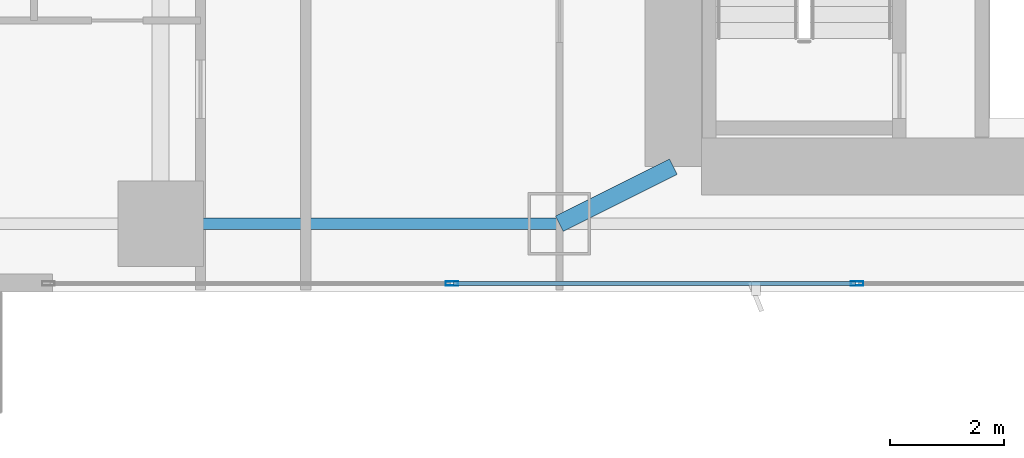
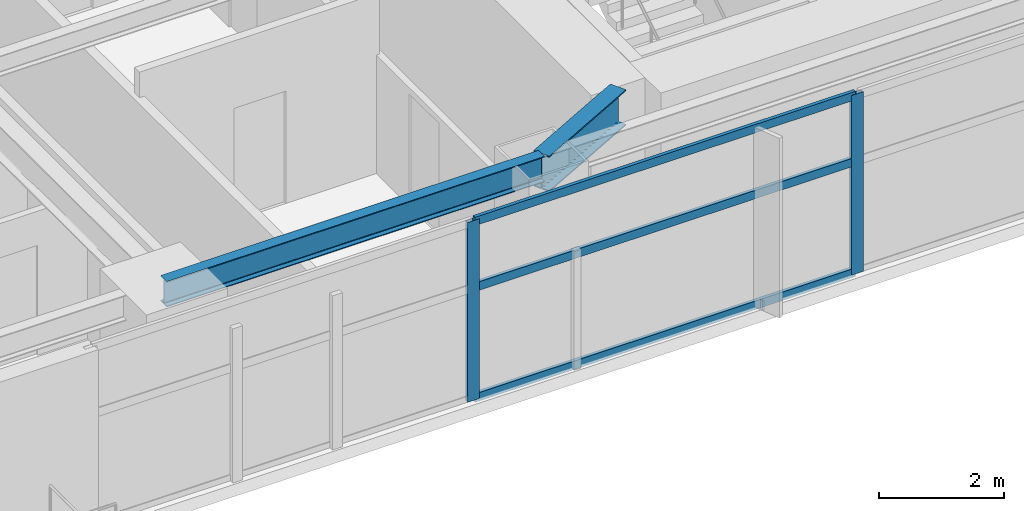
# One storey, part 5 of 28: 5 members, 2 beams, 1 element without a shape of its own.
"""IFC4 building model written with IfcOpenShell, lengths in metres."""

from ifc_helpers import new_model, si_unit, direction, frame, origin, origin_2d, place, context, subcontext, project, spatial, hollow_rectangle, i_section, extrude, material, layer, layer_set, material_profile, profile_set, type_object, element, aggregate, save


model = new_model("IFC4")

# Units and contexts
model_context = context("Model", 3, precision=1e-05, world=origin(), true_north=direction((0.0, 1.0)))
body_context = subcontext(model_context, "Body", "Model", "MODEL_VIEW")
ifc_project = project(units=[si_unit("LENGTHUNIT", "METRE"), si_unit("AREAUNIT", "SQUARE_METRE"), si_unit("VOLUMEUNIT", "CUBIC_METRE"), si_unit("PLANEANGLEUNIT", "RADIAN"), si_unit("MASSUNIT", "GRAM", prefix="KILO")], contexts=[model_context])

# Site, building, storey
site_placement = place(None, origin())
site = spatial("IfcSite", under=ifc_project, at=site_placement, CompositionType="ELEMENT")
building_placement = place(site_placement, origin())
building = spatial("IfcBuilding", under=site, at=building_placement, Name="Calvorn Quay Hotel", CompositionType="ELEMENT")
storey_placement = place(building_placement, frame((0.0, 0.0, 88.800048828125)))
storey = spatial("IfcBuildingStorey", under=building, at=storey_placement, Name="L21", CompositionType="ELEMENT", Elevation=88.800048828125)

# Beams
ifc_material_1 = material(Name="Steel Q390GJC", Category="steel")
ifc_material_profile_1 = material_profile(ifc_material_1, i_section(OverallWidth=0.300048828125, OverallDepth=0.699951171875, WebThickness=0.012939453125, FlangeThickness=0.02392578125, FilletRadius=0.02392578125, at=origin_2d()), Name="HN700x300x13x24")
ifc_profile_set_1 = profile_set([ifc_material_profile_1], Name="Steel Q390GJC")
beam_type_1 = type_object("IfcBeamType", Name="BM-GIRD-MAIN", PredefinedType="BEAM", material=ifc_profile_set_1)
beam_1_placement = place(storey_placement, frame((19.60009765625, 3.60009765625, 3.169921875), z_axis=(0.894427191, 0.4472135955, 0.0), x_axis=(-0.4472135955, 0.894427191, 0.0)))
element("IfcBeam", 1, at=beam_1_placement, inside=storey, type_object=beam_type_1, Name="Beam BG-L21-S2", PredefinedType="BEAM", context=body_context, shape_type="SweptSolid", body=[
    extrude(i_section(OverallWidth=0.300048828125, OverallDepth=0.699951171875, WebThickness=0.012939453125, FlangeThickness=0.02392578125, FilletRadius=0.02392578125, at=origin_2d()), origin(), (0.0, 0.0, 1.0), 2.236083984375),
])
ifc_material_2 = material(Name="Steel Q355B", Category="steel")
ifc_material_profile_2 = material_profile(ifc_material_2, i_section(OverallWidth=0.199951171875, OverallDepth=0.5, WebThickness=0.010009765625, FlangeThickness=0.01611328125, FilletRadius=0.01611328125, at=origin_2d()), Name="HN500x200x10x16")
ifc_profile_set_2 = profile_set([ifc_material_profile_2], Name="Steel Q355B")
beam_type_2 = type_object("IfcBeamType", Name="BM-SPANDREL-Z1", PredefinedType="SPANDREL", material=ifc_profile_set_2)
beam_2_placement = place(storey_placement, frame((12.60009765625, 3.60009765625, 3.27001953125), z_axis=(1.0, 0.0, 0.0), x_axis=(0.0, 1.0, 0.0)))
element("IfcBeam", 2, at=beam_2_placement, inside=storey, type_object=beam_type_2, Name="Beam BSP-L21-S2", PredefinedType="SPANDREL", context=body_context, shape_type="SweptSolid", body=[
    extrude(i_section(OverallWidth=0.199951171875, OverallDepth=0.5, WebThickness=0.010009765625, FlangeThickness=0.01611328125, FilletRadius=0.01611328125, at=origin_2d()), origin(), (0.0, 0.0, 1.0), 7.0),
])

# Curtain wall, members
ifc_material_3 = material(Name="Pale Anodised Aluminium and Low-E Glass", Category="aluminium")
ifc_layer = layer(ifc_material_3, 0.219970703125)
ifc_layer_set = layer_set([ifc_layer], Name="CW-SYS-Z1")
curtain_wall_type = type_object("IfcCurtainWallType", Name="CW-SYS-Z1", PredefinedType="NOTDEFINED", material=ifc_layer_set)
curtain_wall_placement = place(storey_placement, origin())
curtain_wall = element("IfcCurtainWall", 3, at=curtain_wall_placement, inside=storey, type_object=curtain_wall_type, Name="Tower South Waterfront Curtain Wall (L21)", PredefinedType="NOTDEFINED")
ifc_material_4 = material(Name="Pale Anodised Aluminium 6063-T6", Category="aluminium")
ifc_material_profile_3 = material_profile(ifc_material_4, hollow_rectangle(XDim=0.074951171875, YDim=0.219970703125, WallThickness=0.00439453125, at=origin_2d()), Name="ALU-M220x75x4.5")
ifc_profile_set_3 = profile_set([ifc_material_profile_3], Name="Pale Anodised Aluminium 6063-T6")
member_type_1 = type_object("IfcMemberType", Name="CW-SYS-Z1-MUL", PredefinedType="MULLION", material=ifc_profile_set_3)
member_1_placement = place(storey_placement, frame((17.71435546875, 2.550048828125, 0.0), z_axis=(0.0, 0.0, 1.0), x_axis=(0.0, 1.0, 0.0)))
member_1 = element("IfcMember", 4, at=member_1_placement, type_object=member_type_1, Name="CW-L21-S mullion 2", PredefinedType="MULLION", context=body_context, shape_type="SweptSolid", body=[
    extrude(hollow_rectangle(XDim=0.074951171875, YDim=0.219970703125, WallThickness=0.00439453125, at=origin_2d()), origin(), (0.0, 0.0, 1.0), 3.52001953125),
])
member_2_placement = place(storey_placement, frame((24.82861328125, 2.550048828125, 0.0), z_axis=(0.0, 0.0, 1.0), x_axis=(0.0, 1.0, 0.0)))
member_2 = element("IfcMember", 5, at=member_2_placement, type_object=member_type_1, Name="CW-L21-S mullion 3", PredefinedType="MULLION", context=body_context, shape_type="SweptSolid", body=[
    extrude(hollow_rectangle(XDim=0.074951171875, YDim=0.219970703125, WallThickness=0.00439453125, at=origin_2d()), origin(), (0.0, 0.0, 1.0), 3.52001953125),
])
ifc_material_5 = material(Name="Pale Anodised Aluminium 6063-T6", Category="aluminium")
ifc_material_profile_4 = material_profile(ifc_material_5, hollow_rectangle(XDim=0.06494140625, YDim=0.1650390625, WallThickness=0.00341796875, at=origin_2d()), Name="ALU-T165x65x3.5")
ifc_profile_set_4 = profile_set([ifc_material_profile_4], Name="Pale Anodised Aluminium 6063-T6")
member_type_2 = type_object("IfcMemberType", Name="CW-SYS-Z1-TRN", PredefinedType="USERDEFINED", material=ifc_profile_set_4)
member_3_placement = place(storey_placement, frame((17.744384765625, 2.550048828125, 0.030029296875), z_axis=(1.0, 0.0, 0.0), x_axis=(0.0, 1.0, 0.0)))
member_3 = element("IfcMember", 6, at=member_3_placement, type_object=member_type_2, Name="CW-L21-S transom 2.1", ObjectType="TRANSOM", PredefinedType="USERDEFINED", context=body_context, shape_type="SweptSolid", body=[
    extrude(hollow_rectangle(XDim=0.06494140625, YDim=0.1650390625, WallThickness=0.00341796875, at=origin_2d()), origin(), (0.0, 0.0, 1.0), 7.05419921875),
])
member_4_placement = place(storey_placement, frame((17.744384765625, 2.550048828125, 2.199951171875), z_axis=(1.0, 0.0, 0.0), x_axis=(0.0, 1.0, 0.0)))
member_4 = element("IfcMember", 7, at=member_4_placement, type_object=member_type_2, Name="CW-L21-S transom 2.2", ObjectType="TRANSOM", PredefinedType="USERDEFINED", context=body_context, shape_type="SweptSolid", body=[
    extrude(hollow_rectangle(XDim=0.06494140625, YDim=0.1650390625, WallThickness=0.00341796875, at=origin_2d()), origin(), (0.0, 0.0, 1.0), 7.05419921875),
])
member_5_placement = place(storey_placement, frame((17.744384765625, 2.550048828125, 3.489990234375), z_axis=(1.0, 0.0, 0.0), x_axis=(0.0, 1.0, 0.0)))
member_5 = element("IfcMember", 8, at=member_5_placement, type_object=member_type_2, Name="CW-L21-S transom 2.3", ObjectType="TRANSOM", PredefinedType="USERDEFINED", context=body_context, shape_type="SweptSolid", body=[
    extrude(hollow_rectangle(XDim=0.06494140625, YDim=0.1650390625, WallThickness=0.00341796875, at=origin_2d()), origin(), (0.0, 0.0, 1.0), 7.05419921875),
])
aggregate(curtain_wall, [member_1, member_2, member_3, member_4, member_5])

save(model, "model.ifc")
